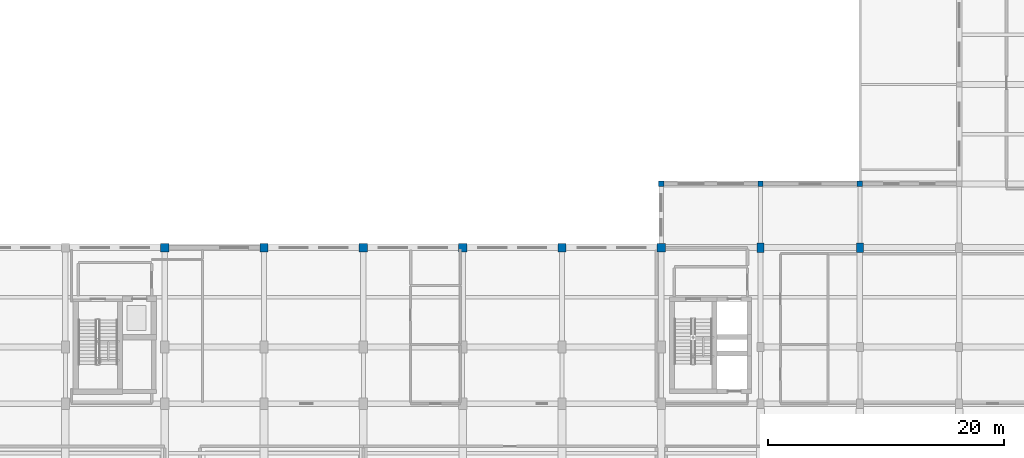
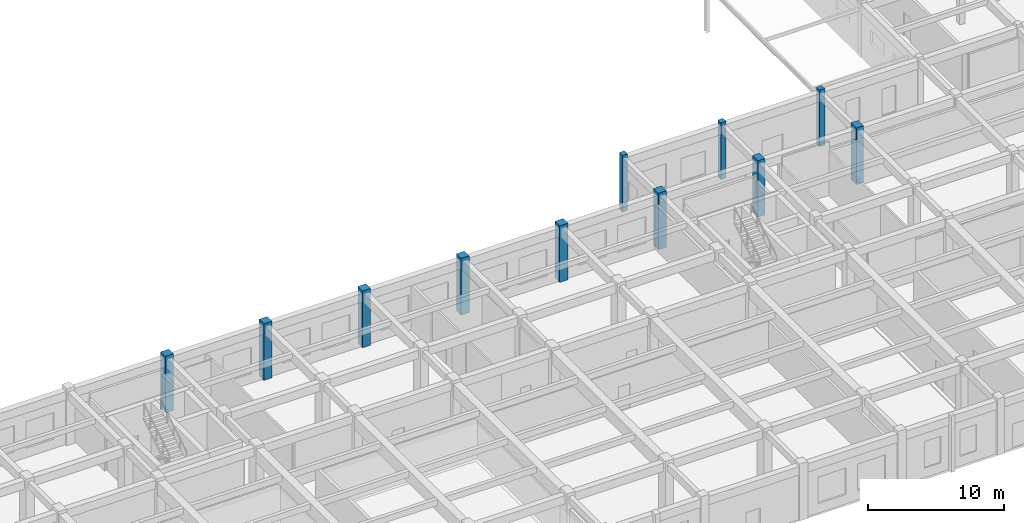
# One storey, part 10 of 80: 11 columns.
"""IFC4 building model written with IfcOpenShell, lengths in metres."""

import ifcopenshell
import ifcopenshell.guid

model = None  # the IFC model being written
_history = None  # IfcOwnerHistory: only IFC2X3 demands one
_inside = {}  # id of a spatial element -> (the spatial element, [elements in it])
_under = {}  # id of a project, library or spatial element -> (it, [spatial elements below it])
_declared = {}  # id of a project -> (the project, [libraries it declares])
_typed = {}  # id of a type object -> (the type object, [elements of that type])
_made_of = {}  # id of a material, layer set ... -> (it, [elements and type objects made of it])


def new_model(schema):
    """Start an empty IFC model of exactly this schema.

    Asked for "IFC4X3", IfcOpenShell would pick the latest addendum, in which some entities
    have other attributes; the version numbers below select the first issue.
    IFC2X3 requires an IfcOwnerHistory on every rooted entity: one is made here for all.
    """
    global model, _history
    if schema == "IFC4X3":
        model = ifcopenshell.file(schema_version=(4, 3, 0, 0))
    else:
        model = ifcopenshell.file(schema=schema)
    _inside.clear()
    _under.clear()
    _declared.clear()
    _typed.clear()
    _made_of.clear()
    _history = None
    if model.schema == "IFC2X3":
        org = make("IfcOrganization", Name="unknown")
        user = make(
            "IfcPersonAndOrganization",
            ThePerson=make("IfcPerson", FamilyName="unknown"),
            TheOrganization=org,
        )
        app = make(
            "IfcApplication",
            ApplicationDeveloper=org,
            Version="unknown",
            ApplicationFullName="unknown",
            ApplicationIdentifier="unknown",
        )
        _history = make(
            "IfcOwnerHistory",
            OwningUser=user,
            OwningApplication=app,
            ChangeAction="ADDED",
            CreationDate=0,
        )
    return model


def make(cls, **values):
    """One entity of the class cls with the attributes given. An attribute that is None is left unset."""
    return model.create_entity(
        cls, **{name: value for name, value in values.items() if value is not None}
    )


def rooted(cls, **values):
    """An entity with a GlobalId (a new one), such as an element, a storey or a relation."""
    return make(cls, GlobalId=ifcopenshell.guid.new(), OwnerHistory=_history, **values)


def si_unit(unit_type, name, prefix=None):
    """IfcSIUnit, for example si_unit("LENGTHUNIT", "METRE", prefix="MILLI")."""
    return make("IfcSIUnit", UnitType=unit_type, Prefix=prefix, Name=name)


def assignment(units):
    """IfcUnitAssignment: the units of a project."""
    return None if units is None else make("IfcUnitAssignment", Units=units)


def point(xyz):
    """IfcCartesianPoint."""
    return None if xyz is None else make("IfcCartesianPoint", Coordinates=xyz)


def direction(xyz):
    """IfcDirection."""
    return None if xyz is None else make("IfcDirection", DirectionRatios=xyz)


def frame(location, z_axis=None, x_axis=None):
    """IfcAxis2Placement3D, a coordinate frame: its origin and axes. An axis left out is left unset."""
    return make(
        "IfcAxis2Placement3D",
        Location=point(location),
        Axis=direction(z_axis),
        RefDirection=direction(x_axis),
    )


def frame_2d(location, x_axis=None):
    """IfcAxis2Placement2D, a coordinate frame in the plane: its origin and x axis."""
    return make(
        "IfcAxis2Placement2D", Location=point(location), RefDirection=direction(x_axis)
    )


def origin():
    """The frame at (0, 0, 0) with its axes left unset."""
    return frame((0.0, 0.0, 0.0))


def origin_2d():
    """The frame at (0, 0) in the plane with its x axis left unset."""
    return frame_2d((0.0, 0.0))


def place(relative_to, where):
    """IfcLocalPlacement: puts the frame where relative to a parent placement (None: the world)."""
    return make(
        "IfcLocalPlacement", PlacementRelTo=relative_to, RelativePlacement=where
    )


def context(
    kind, dimensions, precision=None, world=None, true_north=None, identifier=None
):
    """IfcGeometricRepresentationContext, for example the 3D "Model" context."""
    return make(
        "IfcGeometricRepresentationContext",
        ContextIdentifier=identifier,
        ContextType=kind,
        CoordinateSpaceDimension=dimensions,
        Precision=precision,
        WorldCoordinateSystem=world,
        TrueNorth=true_north,
    )


def subcontext(parent, identifier, kind, view, scale=None):
    """IfcGeometricRepresentationSubContext, for example "Body" below "Model"."""
    return make(
        "IfcGeometricRepresentationSubContext",
        ContextIdentifier=identifier,
        ContextType=kind,
        ParentContext=parent,
        TargetScale=scale,
        TargetView=view,
    )


def project(units=None, contexts=None):
    """IfcProject with its units and contexts."""
    return rooted(
        "IfcProject",
        Name="project",
        RepresentationContexts=contexts,
        UnitsInContext=assignment(units),
    )


def spatial(cls, under=None, at=None, **own):
    """A site, building, storey or space (cls), placed at a placement, below another one or the project."""
    s = rooted(cls, ObjectPlacement=at, **own)
    if under is not None:
        _under.setdefault(under.id(), (under, []))[1].append(s)
    return s


def profile(cls, at=None, kind="AREA", **sizes):
    """A parametric profile (cls). Its sizes go by their IFC names, for example OverallWidth=200.0."""
    return make(cls, ProfileType=kind, Position=at, **sizes)


def rectangle(**sizes):
    """IfcRectangleProfileDef."""
    return profile("IfcRectangleProfileDef", **sizes)


def extrude(swept, where, along, depth):
    """IfcExtrudedAreaSolid: the profile swept, set in the frame where, extruded along a direction by depth."""
    return make(
        "IfcExtrudedAreaSolid",
        SweptArea=swept,
        Position=where,
        ExtrudedDirection=direction(along),
        Depth=depth,
    )


def shape(context_of_items, identifier, shape_type, items):
    """IfcShapeRepresentation: the items that make up one representation, for example the "Body"."""
    return make(
        "IfcShapeRepresentation",
        ContextOfItems=context_of_items,
        RepresentationIdentifier=identifier,
        RepresentationType=shape_type,
        Items=items,
    )


def material(Name=None, Category=None):
    """IfcMaterial."""
    return make("IfcMaterial", Name=Name, Category=Category)


def material_profile(
    of_material, cross_section, Name=None, Category=None, Priority=None
):
    """IfcMaterialProfile: a cross section and its material."""
    return make(
        "IfcMaterialProfile",
        Name=Name,
        Material=of_material,
        Profile=cross_section,
        Priority=Priority,
        Category=Category,
    )


def profile_set(profiles, Name=None, composite=None):
    """IfcMaterialProfileSet."""
    return make(
        "IfcMaterialProfileSet",
        Name=Name,
        MaterialProfiles=profiles,
        CompositeProfile=composite,
    )


def made_of(thing, what):
    """Note that an element or type object is made of a material, layer set ...; save() writes the relation."""
    if what is not None:
        _made_of.setdefault(what.id(), (what, []))[1].append(thing)
    return thing


def type_object(cls, material=None, **own):
    """A type object (cls), such as IfcWallType, which elements share."""
    return made_of(rooted(cls, **own), material)


def element(
    cls,
    number,
    at=None,
    inside=None,
    cuts=None,
    type_object=None,
    material=None,
    context=None,
    identifier="Body",
    shape_type=None,
    held_by="IfcProductDefinitionShape",
    body=None,
    shapes=None,
    **own,
):
    """One element of the class cls, such as IfcWall. Its Tag is "e" and its number.

    at: its placement. inside: the storey or other place that contains it. cuts: it is an
    opening in that element (IfcRelVoidsElement). A single representation is given by context,
    identifier, shape_type and body (its items); several are given by shapes. held_by: the class
    of the entity that holds the representations. save() writes the other relations.
    """
    e = rooted(cls, Tag="e%d" % number, ObjectPlacement=at, **own)
    if body is not None:
        shapes = [shape(context, identifier, shape_type, body)]
    if shapes is not None:
        e.Representation = make(held_by, Representations=shapes)
    if inside is not None:
        _inside.setdefault(inside.id(), (inside, []))[1].append(e)
    if cuts is not None:
        rooted(
            "IfcRelVoidsElement", RelatingBuildingElement=cuts, RelatedOpeningElement=e
        )
    if type_object is not None:
        _typed.setdefault(type_object.id(), (type_object, []))[1].append(e)
    return made_of(e, material)


def aggregate(whole, parts):
    """IfcRelAggregates: a whole, such as a stair, and the parts it consists of."""
    return rooted("IfcRelAggregates", RelatingObject=whole, RelatedObjects=parts)


def save(model, path):
    """Write the relations noted so far, then the file.

    IfcRelAggregates (storeys below a building ...), IfcRelContainedInSpatialStructure (elements
    in a storey), IfcRelDefinesByType, IfcRelAssociatesMaterial and IfcRelDeclares: one each for
    every whole, place, type object, material and project.
    """
    for whole, parts in _under.values():
        aggregate(whole, parts)
    for where, things in _inside.values():
        rooted(
            "IfcRelContainedInSpatialStructure",
            RelatedElements=things,
            RelatingStructure=where,
        )
    for kind, things in _typed.values():
        rooted("IfcRelDefinesByType", RelatedObjects=things, RelatingType=kind)
    for what, things in _made_of.values():
        rooted("IfcRelAssociatesMaterial", RelatedObjects=things, RelatingMaterial=what)
    for by, libraries in _declared.values():
        rooted("IfcRelDeclares", RelatingContext=by, RelatedDefinitions=libraries)
    model.write(path)


model = new_model("IFC4")

# Units and contexts
model_context = context("Model", 3, precision=1e-05, world=origin(), true_north=direction((0.0, 1.0)))
body_context = subcontext(model_context, "Body", "Model", "MODEL_VIEW")
ifc_project = project(units=[si_unit("LENGTHUNIT", "METRE"), si_unit("AREAUNIT", "SQUARE_METRE"), si_unit("VOLUMEUNIT", "CUBIC_METRE"), si_unit("PLANEANGLEUNIT", "RADIAN"), si_unit("MASSUNIT", "GRAM", prefix="KILO")], contexts=[model_context])

# Site, building, storey
site_placement = place(None, origin())
site = spatial("IfcSite", under=ifc_project, at=site_placement, CompositionType="ELEMENT")
building_placement = place(site_placement, origin())
building = spatial("IfcBuilding", under=site, at=building_placement, Name="Krzemoval Escarpment Law Courts", CompositionType="ELEMENT")
storey_placement = place(building_placement, origin())
storey = spatial("IfcBuildingStorey", under=building, at=storey_placement, Name="L00", CompositionType="ELEMENT", Elevation=0.0)

# Columns
ifc_material_1 = material(Name="Concrete C40/50", Category="concrete")
ifc_material_profile_1 = material_profile(ifc_material_1, rectangle(XDim=0.449951171875, YDim=0.449951171875, at=origin_2d()), Name="RC 450x450")
ifc_profile_set_1 = profile_set([ifc_material_profile_1], Name="Concrete C40/50")
column_type_1 = type_object("IfcColumnType", Name="COL-RC-450", PredefinedType="COLUMN", material=ifc_profile_set_1)
for number, where, z_axis, x_axis, name in (
    (1, (109.199951171875, 40.800048828125, 0.0), (0.0, 0.0, 1.0), (1.0, 0.0, 0.0), "Column FC-L00-0427"),
    (2, (117.60009765625, 40.800048828125, 0.0), (0.0, 0.0, 1.0), (1.0, 0.0, 0.0), "Column FC-L00-0436"),
    (3, (126.0, 40.800048828125, 0.0), (0.0, 0.0, 1.0), (1.0, 0.0, 0.0), "Column FC-L00-0445"),
):
    element("IfcColumn", number, at=place(storey_placement, frame(where, z_axis=z_axis, x_axis=x_axis)), inside=storey, type_object=column_type_1, Name=name, PredefinedType="COLUMN", context=body_context, shape_type="SweptSolid", body=[
        extrude(rectangle(XDim=0.449951171875, YDim=0.449951171875, at=origin_2d()), origin(), (0.0, 0.0, 1.0), 5.10009765625),
    ])
ifc_material_2 = material(Name="Concrete C40/50", Category="concrete")
ifc_material_profile_2 = material_profile(ifc_material_2, rectangle(XDim=0.60009765625, YDim=0.800048828125, at=origin_2d()), Name="RC 600x800")
ifc_profile_set_2 = profile_set([ifc_material_profile_2], Name="Concrete C40/50")
column_type_2 = type_object("IfcColumnType", Name="COL-RC-600x800", PredefinedType="COLUMN", material=ifc_profile_set_2)
for number, where, z_axis, x_axis, name in (
    (4, (117.60009765625, 35.39990234375, 0.0), (0.0, 0.0, 1.0), (1.0, 0.0, 0.0), "Column FC-L00-0435"),
    (5, (126.0, 35.39990234375, 0.0), (0.0, 0.0, 1.0), (1.0, 0.0, 0.0), "Column FC-L00-0444"),
):
    element("IfcColumn", number, at=place(storey_placement, frame(where, z_axis=z_axis, x_axis=x_axis)), inside=storey, type_object=column_type_2, Name=name, PredefinedType="COLUMN", context=body_context, shape_type="SweptSolid", body=[
        extrude(rectangle(XDim=0.60009765625, YDim=0.800048828125, at=origin_2d()), origin(), (0.0, 0.0, 1.0), 5.10009765625),
    ])
ifc_material_3 = material(Name="Concrete C40/50", Category="concrete")
ifc_material_profile_3 = material_profile(ifc_material_3, rectangle(XDim=0.699951171875, YDim=0.699951171875, at=origin_2d()), Name="RC 700x700")
ifc_profile_set_3 = profile_set([ifc_material_profile_3], Name="Concrete C40/50")
column_type_3 = type_object("IfcColumnType", Name="COL-RC-700", PredefinedType="COLUMN", material=ifc_profile_set_3)
for number, where, z_axis, x_axis, name in (
    (6, (67.199951171875, 35.39990234375, 0.0), (0.0, 0.0, 1.0), (1.0, 0.0, 0.0), "Column FC-L00-0386"),
    (7, (75.60009765625, 35.39990234375, 0.0), (0.0, 0.0, 1.0), (1.0, 0.0, 0.0), "Column FC-L00-0394"),
    (8, (84.0, 35.39990234375, 0.0), (0.0, 0.0, 1.0), (1.0, 0.0, 0.0), "Column FC-L00-0402"),
    (9, (92.39990234375, 35.39990234375, 0.0), (0.0, 0.0, 1.0), (1.0, 0.0, 0.0), "Column FC-L00-0410"),
    (10, (100.800048828125, 35.39990234375, 0.0), (0.0, 0.0, 1.0), (1.0, 0.0, 0.0), "Column FC-L00-0418"),
    (11, (109.199951171875, 35.39990234375, 0.0), (0.0, 0.0, 1.0), (1.0, 0.0, 0.0), "Column FC-L00-0426"),
):
    element("IfcColumn", number, at=place(storey_placement, frame(where, z_axis=z_axis, x_axis=x_axis)), inside=storey, type_object=column_type_3, Name=name, PredefinedType="COLUMN", context=body_context, shape_type="SweptSolid", body=[
        extrude(rectangle(XDim=0.699951171875, YDim=0.699951171875, at=origin_2d()), origin(), (0.0, 0.0, 1.0), 5.10009765625),
    ])

save(model, "model.ifc")
